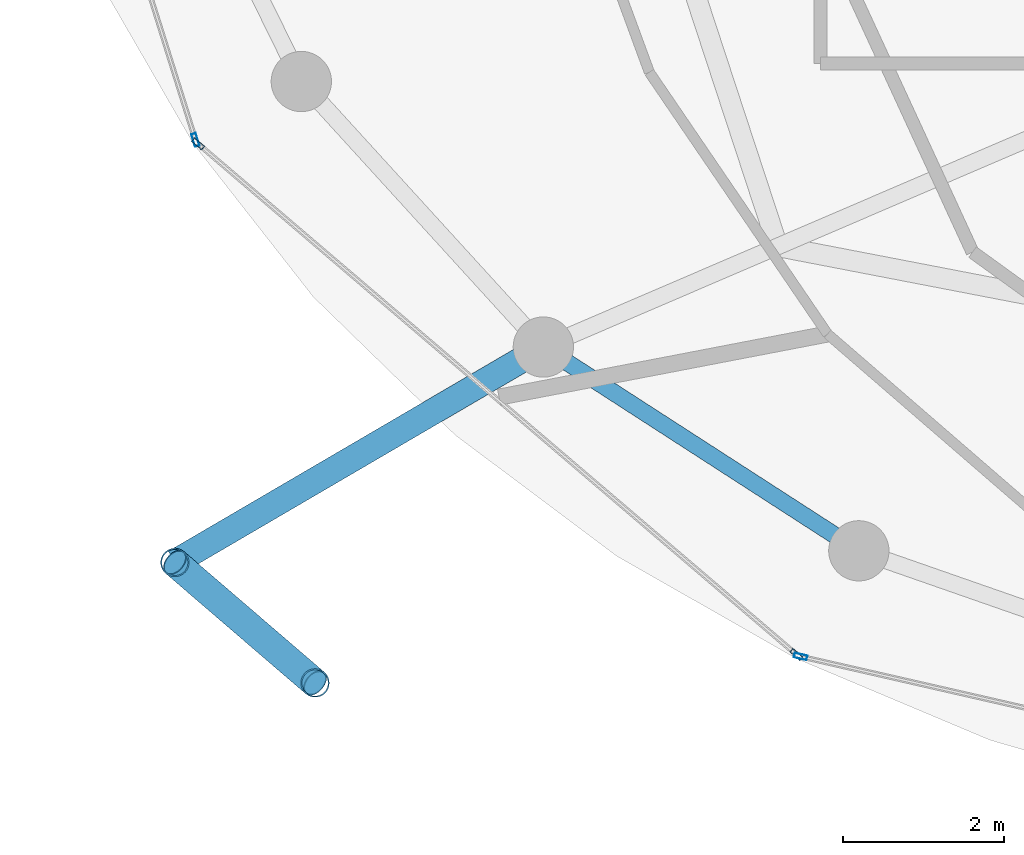
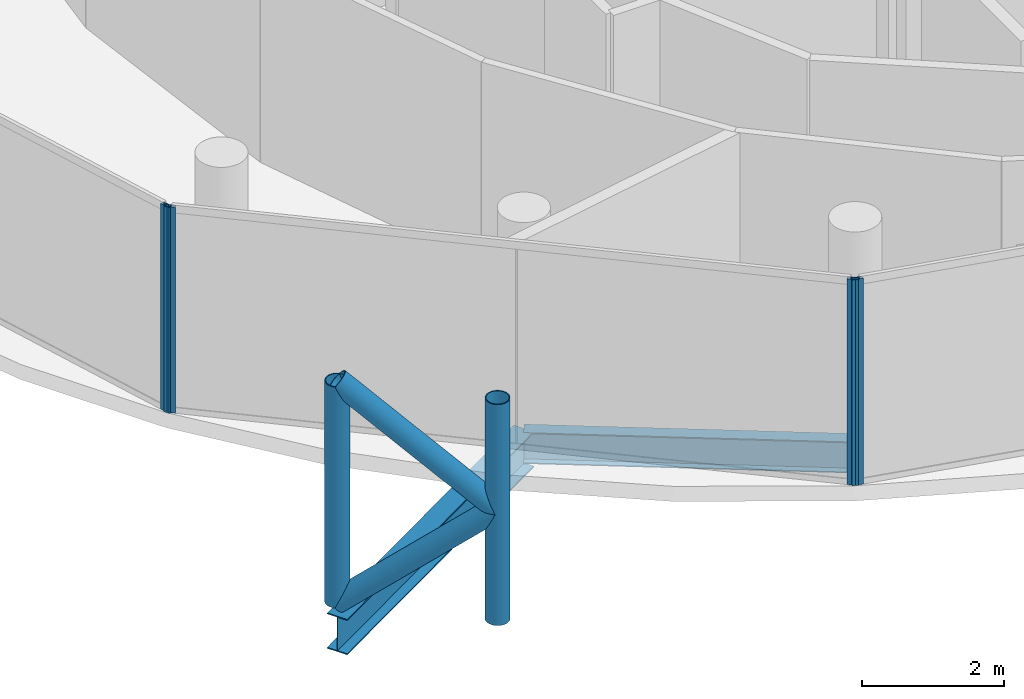
# One storey, part 2 of 24: 8 members, 2 beams, 3 elements without a shape of their own.
"""IFC4 building model written with IfcOpenShell, lengths in metres."""

from ifc_helpers import new_model, si_unit, direction, frame, origin, origin_2d, place, context, subcontext, project, spatial, hollow_rectangle, hollow_circle, i_section, extrude, material, layer, layer_set, material_profile, profile_set, type_object, element, aggregate, save


model = new_model("IFC4")

# Units and contexts
model_context = context("Model", 3, precision=1e-05, world=origin(), true_north=direction((0.0, 1.0)))
body_context = subcontext(model_context, "Body", "Model", "MODEL_VIEW")
ifc_project = project(units=[si_unit("LENGTHUNIT", "METRE"), si_unit("AREAUNIT", "SQUARE_METRE"), si_unit("VOLUMEUNIT", "CUBIC_METRE"), si_unit("PLANEANGLEUNIT", "RADIAN"), si_unit("MASSUNIT", "GRAM", prefix="KILO")], contexts=[model_context])

# Site, building, storey
site_placement = place(None, origin())
site = spatial("IfcSite", under=ifc_project, at=site_placement, CompositionType="ELEMENT")
building_placement = place(site_placement, origin())
building = spatial("IfcBuilding", under=site, at=building_placement, Name="Nuhasar Tower", CompositionType="ELEMENT")
storey_placement = place(building_placement, frame((0.0, 0.0, 278.39990234375)))
storey = spatial("IfcBuildingStorey", under=building, at=storey_placement, Name="L69", CompositionType="ELEMENT", Elevation=278.39990234375)

# Beams
ifc_material_1 = material(Name="Steel S355", Category="steel")
ifc_material_profile_1 = material_profile(ifc_material_1, i_section(OverallWidth=0.2099609375, OverallDepth=0.537109375, WebThickness=0.010986328125, FlangeThickness=0.017333984375, at=origin_2d()), Name="W21X68")
ifc_profile_set_1 = profile_set([ifc_material_profile_1], Name="Steel S355")
beam_type_1 = type_object("IfcBeamType", Name="BM-RING-W21X68", PredefinedType="SPANDREL", material=ifc_profile_set_1)
beam_1_placement = place(storey_placement, frame((25.60009765625, 15.52197265625, -0.52880859375), z_axis=(0.840025485934, -0.542546940809, 0.0), x_axis=(0.542546940809, 0.840025485934, 0.0)))
element("IfcBeam", 1, at=beam_1_placement, inside=storey, type_object=beam_type_1, Name="L69 Perimeter Ring Spandrel 16", PredefinedType="SPANDREL", context=body_context, shape_type="SweptSolid", body=[
    extrude(i_section(OverallWidth=0.2099609375, OverallDepth=0.537109375, WebThickness=0.010986328125, FlangeThickness=0.017333984375, at=origin_2d()), origin(), (0.0, 0.0, 1.0), 4.67236328125),
])
ifc_material_profile_2 = material_profile(ifc_material_1, i_section(OverallWidth=0.323974609375, OverallDepth=0.611083984375, WebThickness=0.0126953125, FlangeThickness=0.01904296875, at=origin_2d()), Name="W24X104")
ifc_profile_set_2 = profile_set([ifc_material_profile_2], Name="Steel S355")
beam_type_2 = type_object("IfcBeamType", Name="BM-TIE-W24X104", PredefinedType="BEAM", material=ifc_profile_set_2)
beam_2_placement = place(storey_placement, frame((25.60009765625, 15.52197265625, -0.56591796875), z_axis=(-0.863291554686, -0.504705549413, 0.0), x_axis=(0.504705549413, -0.863291554686, 0.0)))
element("IfcBeam", 2, at=beam_2_placement, inside=storey, type_object=beam_type_2, Name="L69 Exoskeleton Node Tie Beam 08", PredefinedType="BEAM", context=body_context, shape_type="SweptSolid", body=[
    extrude(i_section(OverallWidth=0.323974609375, OverallDepth=0.611083984375, WebThickness=0.0126953125, FlangeThickness=0.01904296875, at=origin_2d()), origin(), (0.0, 0.0, 1.0), 5.309814453125),
])

# Curtain wall, member
ifc_material_2 = material(Name="Aluminium 6063-T6", Category="aluminium")
ifc_layer = layer(ifc_material_2, 0.18994140625)
ifc_layer_set = layer_set([ifc_layer], Name="Aluminium 6063-T6")
curtain_wall_type = type_object("IfcCurtainWallType", Name="CW-Z4-PEN", PredefinedType="NOTDEFINED", material=ifc_layer_set)
curtain_wall_1_placement = place(storey_placement, origin())
curtain_wall_1 = element("IfcCurtainWall", 3, at=curtain_wall_1_placement, inside=storey, type_object=curtain_wall_type, Name="L69 Unitised Curtain Wall 07", PredefinedType="NOTDEFINED")
ifc_material_profile_3 = material_profile(ifc_material_2, hollow_rectangle(XDim=0.06005859375, YDim=0.1650390625, WallThickness=0.0048828125, at=origin_2d()), Name="CWM-5")
ifc_profile_set_3 = profile_set([ifc_material_profile_3], Name="Aluminium 6063-T6")
member_type_1 = type_object("IfcMemberType", Name="CW-MUL-S5", PredefinedType="MULLION", material=ifc_profile_set_3)
member_1_placement = place(storey_placement, frame((21.27197265625, 18.0986328125, 0.0), z_axis=(0.0, 0.0, 1.0), x_axis=(0.954078526601, 0.299556614146, 0.0)))
member_1 = element("IfcMember", 4, at=member_1_placement, type_object=member_type_1, Name="CW-Z4 mullion 2", PredefinedType="MULLION", context=body_context, shape_type="SweptSolid", body=[
    extrude(hollow_rectangle(XDim=0.06005859375, YDim=0.1650390625, WallThickness=0.0048828125, at=origin_2d()), origin(), (0.0, 0.0, 1.0), 3.5400390625),
])
aggregate(curtain_wall_1, [member_1])

# Curtain wall, members
curtain_wall_2_placement = place(storey_placement, origin())
curtain_wall_2 = element("IfcCurtainWall", 5, at=curtain_wall_2_placement, inside=storey, type_object=curtain_wall_type, Name="L69 Unitised Curtain Wall 08", PredefinedType="NOTDEFINED")
member_2_placement = place(storey_placement, frame((21.3037109375, 18.050537109375, 0.0), z_axis=(0.0, 0.0, 1.0), x_axis=(0.649141996205, 0.760667252327, 0.0)))
member_2 = element("IfcMember", 6, at=member_2_placement, type_object=member_type_1, Name="CW-Z4 mullion 1", PredefinedType="MULLION", context=body_context, shape_type="SweptSolid", body=[
    extrude(hollow_rectangle(XDim=0.06005859375, YDim=0.1650390625, WallThickness=0.0048828125, at=origin_2d()), origin(), (0.0, 0.0, 1.0), 3.5400390625),
])
member_3_placement = place(storey_placement, frame((28.7470703125, 11.698486328125, 0.0), z_axis=(0.0, 0.0, 1.0), x_axis=(0.649141996205, 0.760667252327, 0.0)))
member_3 = element("IfcMember", 7, at=member_3_placement, type_object=member_type_1, Name="CW-Z4 mullion 2", PredefinedType="MULLION", context=body_context, shape_type="SweptSolid", body=[
    extrude(hollow_rectangle(XDim=0.06005859375, YDim=0.1650390625, WallThickness=0.0048828125, at=origin_2d()), origin(), (0.0, 0.0, 1.0), 3.5400390625),
])
aggregate(curtain_wall_2, [member_2, member_3])

# Curtain wall, member
curtain_wall_3_placement = place(storey_placement, origin())
curtain_wall_3 = element("IfcCurtainWall", 8, at=curtain_wall_3_placement, inside=storey, type_object=curtain_wall_type, Name="L69 Unitised Curtain Wall 09", PredefinedType="NOTDEFINED")
member_4_placement = place(storey_placement, frame((28.79931640625, 11.67236328125, 0.0), z_axis=(0.0, 0.0, 1.0), x_axis=(0.222889487645, 0.97484371891, 0.0)))
member_4 = element("IfcMember", 9, at=member_4_placement, type_object=member_type_1, Name="CW-Z4 mullion 1", PredefinedType="MULLION", context=body_context, shape_type="SweptSolid", body=[
    extrude(hollow_rectangle(XDim=0.06005859375, YDim=0.1650390625, WallThickness=0.0048828125, at=origin_2d()), origin(), (0.0, 0.0, 1.0), 3.5400390625),
])
aggregate(curtain_wall_3, [member_4])

# Members
ifc_material_3 = material(Name="Steel S460", Category="steel")
ifc_material_profile_4 = material_profile(ifc_material_3, hollow_circle(Radius=0.177734375, WallThickness=0.015869140625, at=origin_2d()), Name="HSS355.6X15.9")
ifc_profile_set_4 = profile_set([ifc_material_profile_4], Name="Steel S460")
member_type_2 = type_object("IfcMemberType", Name="EXO-BRONZE-356", PredefinedType="BRACE", material=ifc_profile_set_4)
for number, where, z_axis, x_axis, name in (
    (10, (21.01611328125, 12.842041015625, 0.0), (0.0, 0.0, 1.0), (1.0, 0.0, 0.0), "L69 Exoskeleton Chord Column EC-08A"),
    (11, (22.760009765625, 11.343017578125, 0.0), (0.0, 0.0, 1.0), (1.0, 0.0, 0.0), "L69 Exoskeleton Chord Column EC-08B"),
):
    element("IfcMember", number, at=place(storey_placement, frame(where, z_axis=z_axis, x_axis=x_axis)), inside=storey, type_object=member_type_2, Name=name, PredefinedType="BRACE", context=body_context, shape_type="SweptSolid", body=[
        extrude(hollow_circle(Radius=0.177734375, WallThickness=0.015869140625, at=origin_2d()), origin(), (0.0, 0.0, 1.0), 3.800048828125),
    ])
member_5_placement = place(storey_placement, frame((21.01611328125, 12.842041015625, 0.0), z_axis=(0.584594747408, -0.50250759472, 0.636973389203), x_axis=(0.65185738425, 0.758341579104, 0.0)))
element("IfcMember", 12, at=member_5_placement, inside=storey, type_object=member_type_2, Name="L69 Bronze Diagrid Brace W1-08", PredefinedType="BRACE", context=body_context, shape_type="SweptSolid", body=[
    extrude(hollow_circle(Radius=0.177734375, WallThickness=0.015869140625, at=origin_2d()), origin(), (0.0, 0.0, 1.0), 2.983154296875),
])
member_6_placement = place(storey_placement, frame((22.760009765625, 11.343017578125, 1.900146484375), z_axis=(-0.584625223306, 0.502533791278, 0.636924749792), x_axis=(-0.65185738425, -0.758341579104, 0.0)))
element("IfcMember", 13, at=member_6_placement, inside=storey, type_object=member_type_2, Name="L69 Bronze Diagrid Brace W2-08", PredefinedType="BRACE", context=body_context, shape_type="SweptSolid", body=[
    extrude(hollow_circle(Radius=0.177734375, WallThickness=0.015869140625, at=origin_2d()), origin(), (0.0, 0.0, 1.0), 2.98291015625),
])

save(model, "model.ifc")
